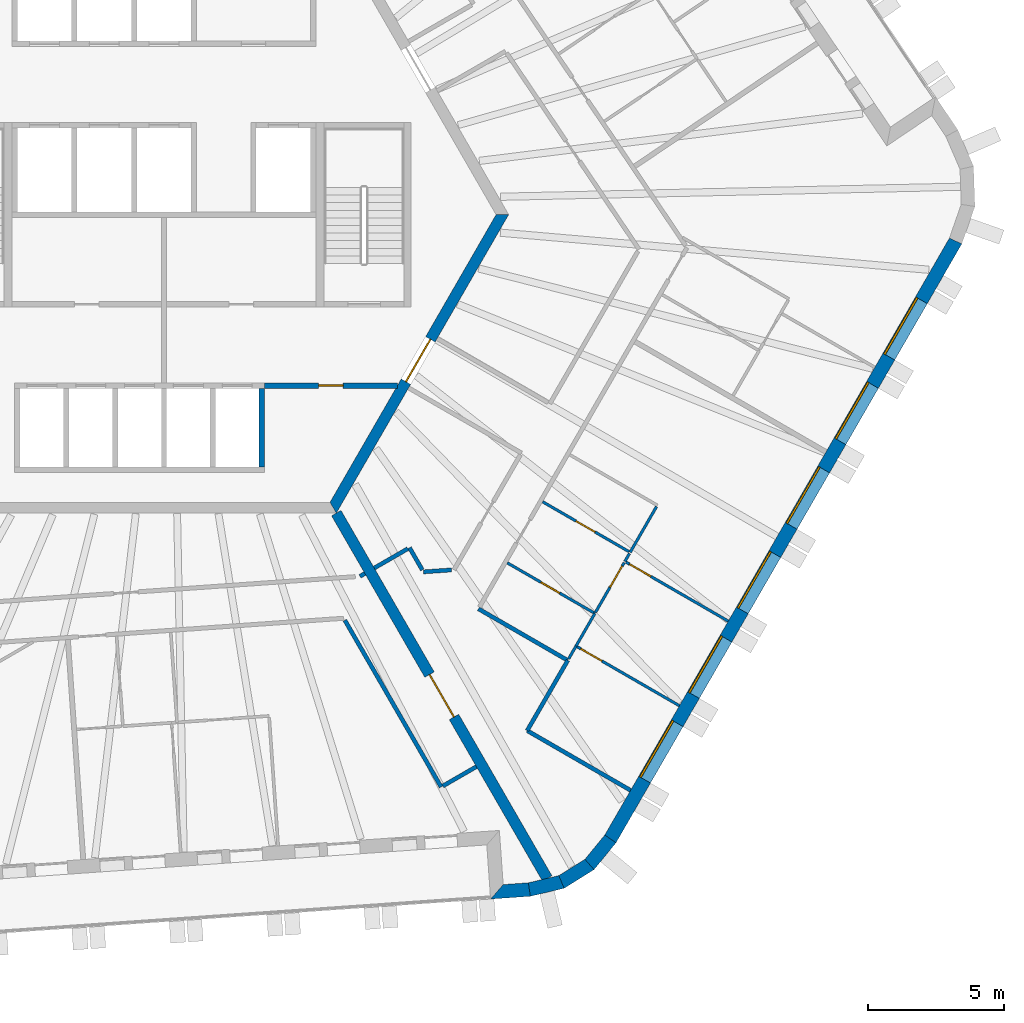
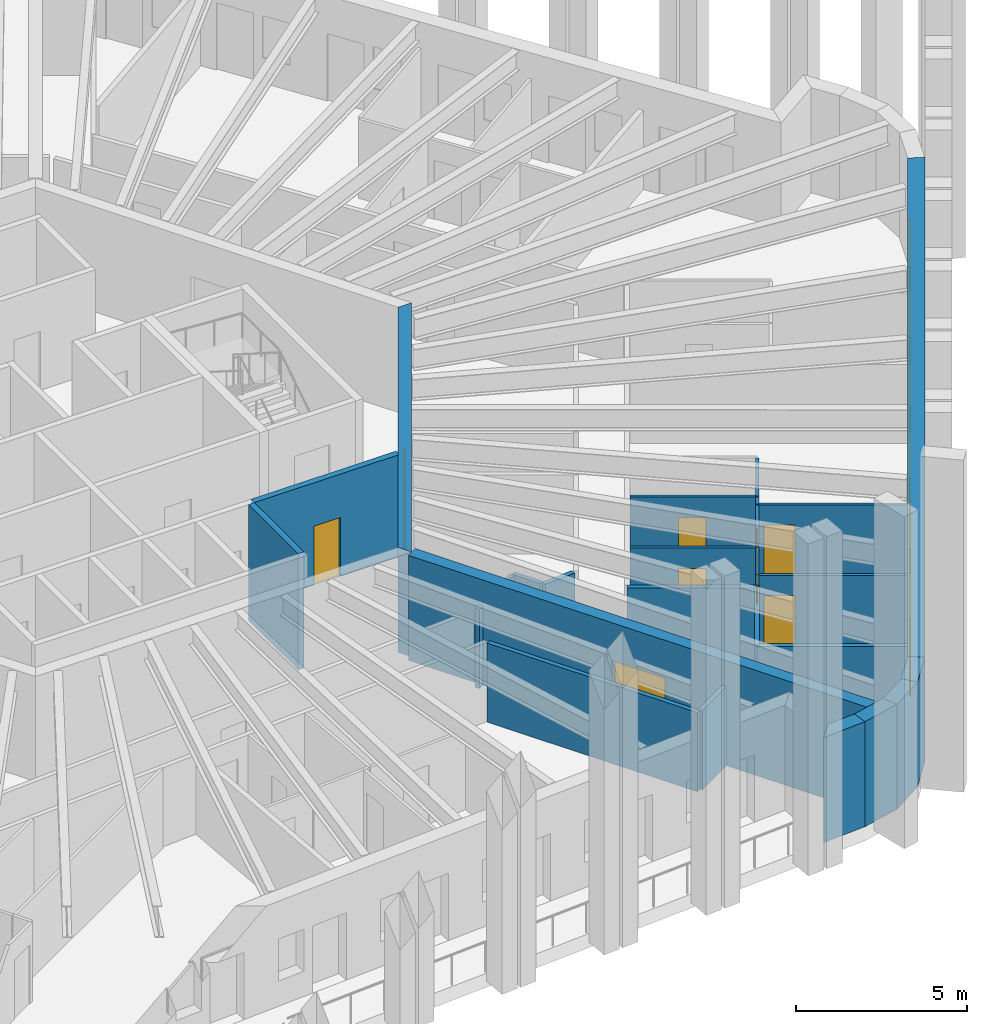
# One storey, part 6 of 13: 27 walls, 8 doors, 6 windows, 14 openings.
"""IFC4 building model written with IfcOpenShell, lengths in metres."""

import ifcopenshell
import ifcopenshell.guid

model = None  # the IFC model being written
_history = None  # IfcOwnerHistory: only IFC2X3 demands one
_inside = {}  # id of a spatial element -> (the spatial element, [elements in it])
_under = {}  # id of a project, library or spatial element -> (it, [spatial elements below it])
_declared = {}  # id of a project -> (the project, [libraries it declares])
_typed = {}  # id of a type object -> (the type object, [elements of that type])
_made_of = {}  # id of a material, layer set ... -> (it, [elements and type objects made of it])


def new_model(schema):
    """Start an empty IFC model of exactly this schema.

    Asked for "IFC4X3", IfcOpenShell would pick the latest addendum, in which some entities
    have other attributes; the version numbers below select the first issue.
    IFC2X3 requires an IfcOwnerHistory on every rooted entity: one is made here for all.
    """
    global model, _history
    if schema == "IFC4X3":
        model = ifcopenshell.file(schema_version=(4, 3, 0, 0))
    else:
        model = ifcopenshell.file(schema=schema)
    _inside.clear()
    _under.clear()
    _declared.clear()
    _typed.clear()
    _made_of.clear()
    _history = None
    if model.schema == "IFC2X3":
        org = make("IfcOrganization", Name="unknown")
        user = make(
            "IfcPersonAndOrganization",
            ThePerson=make("IfcPerson", FamilyName="unknown"),
            TheOrganization=org,
        )
        app = make(
            "IfcApplication",
            ApplicationDeveloper=org,
            Version="unknown",
            ApplicationFullName="unknown",
            ApplicationIdentifier="unknown",
        )
        _history = make(
            "IfcOwnerHistory",
            OwningUser=user,
            OwningApplication=app,
            ChangeAction="ADDED",
            CreationDate=0,
        )
    return model


def make(cls, **values):
    """One entity of the class cls with the attributes given. An attribute that is None is left unset."""
    return model.create_entity(
        cls, **{name: value for name, value in values.items() if value is not None}
    )


def rooted(cls, **values):
    """An entity with a GlobalId (a new one), such as an element, a storey or a relation."""
    return make(cls, GlobalId=ifcopenshell.guid.new(), OwnerHistory=_history, **values)


def si_unit(unit_type, name, prefix=None):
    """IfcSIUnit, for example si_unit("LENGTHUNIT", "METRE", prefix="MILLI")."""
    return make("IfcSIUnit", UnitType=unit_type, Prefix=prefix, Name=name)


def assignment(units):
    """IfcUnitAssignment: the units of a project."""
    return None if units is None else make("IfcUnitAssignment", Units=units)


def point(xyz):
    """IfcCartesianPoint."""
    return None if xyz is None else make("IfcCartesianPoint", Coordinates=xyz)


def direction(xyz):
    """IfcDirection."""
    return None if xyz is None else make("IfcDirection", DirectionRatios=xyz)


def frame(location, z_axis=None, x_axis=None):
    """IfcAxis2Placement3D, a coordinate frame: its origin and axes. An axis left out is left unset."""
    return make(
        "IfcAxis2Placement3D",
        Location=point(location),
        Axis=direction(z_axis),
        RefDirection=direction(x_axis),
    )


def frame_2d(location, x_axis=None):
    """IfcAxis2Placement2D, a coordinate frame in the plane: its origin and x axis."""
    return make(
        "IfcAxis2Placement2D", Location=point(location), RefDirection=direction(x_axis)
    )


def origin():
    """The frame at (0, 0, 0) with its axes left unset."""
    return frame((0.0, 0.0, 0.0))


def place(relative_to, where):
    """IfcLocalPlacement: puts the frame where relative to a parent placement (None: the world)."""
    return make(
        "IfcLocalPlacement", PlacementRelTo=relative_to, RelativePlacement=where
    )


def context(
    kind, dimensions, precision=None, world=None, true_north=None, identifier=None
):
    """IfcGeometricRepresentationContext, for example the 3D "Model" context."""
    return make(
        "IfcGeometricRepresentationContext",
        ContextIdentifier=identifier,
        ContextType=kind,
        CoordinateSpaceDimension=dimensions,
        Precision=precision,
        WorldCoordinateSystem=world,
        TrueNorth=true_north,
    )


def subcontext(parent, identifier, kind, view, scale=None):
    """IfcGeometricRepresentationSubContext, for example "Body" below "Model"."""
    return make(
        "IfcGeometricRepresentationSubContext",
        ContextIdentifier=identifier,
        ContextType=kind,
        ParentContext=parent,
        TargetScale=scale,
        TargetView=view,
    )


def project(units=None, contexts=None):
    """IfcProject with its units and contexts."""
    return rooted(
        "IfcProject",
        Name="project",
        RepresentationContexts=contexts,
        UnitsInContext=assignment(units),
    )


def spatial(cls, under=None, at=None, **own):
    """A site, building, storey or space (cls), placed at a placement, below another one or the project."""
    s = rooted(cls, ObjectPlacement=at, **own)
    if under is not None:
        _under.setdefault(under.id(), (under, []))[1].append(s)
    return s


def polyline(points):
    """IfcPolyline through the points."""
    return make("IfcPolyline", Points=[point(p) for p in points])


def profile(cls, at=None, kind="AREA", **sizes):
    """A parametric profile (cls). Its sizes go by their IFC names, for example OverallWidth=200.0."""
    return make(cls, ProfileType=kind, Position=at, **sizes)


def rectangle(**sizes):
    """IfcRectangleProfileDef."""
    return profile("IfcRectangleProfileDef", **sizes)


def outline(outer, holes=None, kind="AREA"):
    """IfcArbitraryClosedProfileDef: a profile drawn as a closed curve; with holes, ...WithVoids."""
    if holes is None:
        return make("IfcArbitraryClosedProfileDef", ProfileType=kind, OuterCurve=outer)
    return make(
        "IfcArbitraryProfileDefWithVoids",
        ProfileType=kind,
        OuterCurve=outer,
        InnerCurves=holes,
    )


def extrude(swept, where, along, depth):
    """IfcExtrudedAreaSolid: the profile swept, set in the frame where, extruded along a direction by depth."""
    return make(
        "IfcExtrudedAreaSolid",
        SweptArea=swept,
        Position=where,
        ExtrudedDirection=direction(along),
        Depth=depth,
    )


def shape(context_of_items, identifier, shape_type, items):
    """IfcShapeRepresentation: the items that make up one representation, for example the "Body"."""
    return make(
        "IfcShapeRepresentation",
        ContextOfItems=context_of_items,
        RepresentationIdentifier=identifier,
        RepresentationType=shape_type,
        Items=items,
    )


def material(Name=None, Category=None):
    """IfcMaterial."""
    return make("IfcMaterial", Name=Name, Category=Category)


def layer(
    of_material, thickness, ventilated=None, Name=None, Category=None, Priority=None
):
    """IfcMaterialLayer: one layer of a wall or slab, of a material (None: an air gap)."""
    return make(
        "IfcMaterialLayer",
        Material=of_material,
        LayerThickness=thickness,
        IsVentilated=ventilated,
        Name=Name,
        Category=Category,
        Priority=Priority,
    )


def layer_set(layers, Name=None):
    """IfcMaterialLayerSet."""
    return make("IfcMaterialLayerSet", MaterialLayers=layers, LayerSetName=Name)


def made_of(thing, what):
    """Note that an element or type object is made of a material, layer set ...; save() writes the relation."""
    if what is not None:
        _made_of.setdefault(what.id(), (what, []))[1].append(thing)
    return thing


def type_object(cls, material=None, **own):
    """A type object (cls), such as IfcWallType, which elements share."""
    return made_of(rooted(cls, **own), material)


def element(
    cls,
    number,
    at=None,
    inside=None,
    cuts=None,
    type_object=None,
    material=None,
    context=None,
    identifier="Body",
    shape_type=None,
    held_by="IfcProductDefinitionShape",
    body=None,
    shapes=None,
    **own,
):
    """One element of the class cls, such as IfcWall. Its Tag is "e" and its number.

    at: its placement. inside: the storey or other place that contains it. cuts: it is an
    opening in that element (IfcRelVoidsElement). A single representation is given by context,
    identifier, shape_type and body (its items); several are given by shapes. held_by: the class
    of the entity that holds the representations. save() writes the other relations.
    """
    e = rooted(cls, Tag="e%d" % number, ObjectPlacement=at, **own)
    if body is not None:
        shapes = [shape(context, identifier, shape_type, body)]
    if shapes is not None:
        e.Representation = make(held_by, Representations=shapes)
    if inside is not None:
        _inside.setdefault(inside.id(), (inside, []))[1].append(e)
    if cuts is not None:
        rooted(
            "IfcRelVoidsElement", RelatingBuildingElement=cuts, RelatedOpeningElement=e
        )
    if type_object is not None:
        _typed.setdefault(type_object.id(), (type_object, []))[1].append(e)
    return made_of(e, material)


def fill(opening, filler):
    """IfcRelFillsElement: the door or window that sits in an opening."""
    return rooted(
        "IfcRelFillsElement",
        RelatingOpeningElement=opening,
        RelatedBuildingElement=filler,
    )


def aggregate(whole, parts):
    """IfcRelAggregates: a whole, such as a stair, and the parts it consists of."""
    return rooted("IfcRelAggregates", RelatingObject=whole, RelatedObjects=parts)


def save(model, path):
    """Write the relations noted so far, then the file.

    IfcRelAggregates (storeys below a building ...), IfcRelContainedInSpatialStructure (elements
    in a storey), IfcRelDefinesByType, IfcRelAssociatesMaterial and IfcRelDeclares: one each for
    every whole, place, type object, material and project.
    """
    for whole, parts in _under.values():
        aggregate(whole, parts)
    for where, things in _inside.values():
        rooted(
            "IfcRelContainedInSpatialStructure",
            RelatedElements=things,
            RelatingStructure=where,
        )
    for kind, things in _typed.values():
        rooted("IfcRelDefinesByType", RelatedObjects=things, RelatingType=kind)
    for what, things in _made_of.values():
        rooted("IfcRelAssociatesMaterial", RelatedObjects=things, RelatingMaterial=what)
    for by, libraries in _declared.values():
        rooted("IfcRelDeclares", RelatingContext=by, RelatedDefinitions=libraries)
    model.write(path)


model = new_model("IFC4")

# Units and contexts
model_context = context("Model", 3, precision=1e-05, world=origin(), true_north=direction((0.0, 1.0)))
body_context = subcontext(model_context, "Body", "Model", "MODEL_VIEW")
ifc_project = project(units=[si_unit("LENGTHUNIT", "METRE"), si_unit("AREAUNIT", "SQUARE_METRE"), si_unit("VOLUMEUNIT", "CUBIC_METRE"), si_unit("PLANEANGLEUNIT", "RADIAN"), si_unit("MASSUNIT", "GRAM", prefix="KILO")], contexts=[model_context])

# Site, building, storey
site_placement = place(None, origin())
site = spatial("IfcSite", under=ifc_project, at=site_placement, CompositionType="ELEMENT")
building_placement = place(site_placement, origin())
building = spatial("IfcBuilding", under=site, at=building_placement, Name="Tarnside Tower", CompositionType="ELEMENT")
storey_placement = place(building_placement, frame((0.0, 0.0, 256.199951171875)))
storey = spatial("IfcBuildingStorey", under=building, at=storey_placement, Name="L61", CompositionType="ELEMENT", Elevation=256.199951171875)

# Wall
ifc_material_1 = material(Name="Gypsum board partition on steel studs", Category="steel")
ifc_layer_1 = layer(ifc_material_1, 0.10009765625)
ifc_layer_set_1 = layer_set([ifc_layer_1], Name="Bathroom wall 100")
wall_type_1 = type_object("IfcWallType", Name="Bathroom wall 100", PredefinedType="PARTITIONING", material=ifc_layer_set_1)
wall_1_placement = place(storey_placement, frame((18.155029296875, -10.75439453125, 0.0), z_axis=(0.0, 0.0, 1.0), x_axis=(-0.49989585183, -0.866085525409, 0.0)))
element("IfcWall", 1, at=wall_1_placement, inside=storey, type_object=wall_type_1, Name="Bathroom wall 20142", PredefinedType="PARTITIONING", context=body_context, shape_type="SweptSolid", body=[
    extrude(rectangle(XDim=1.9501953125, YDim=0.10009765625, at=frame_2d((0.97509765625, 0.0))), origin(), (0.0, 0.0, 1.0), 2.823486328125),
])

# Wall, opening, door
wall_2_placement = place(storey_placement, frame((12.654052734375, -12.83251953125, 0.0), z_axis=(0.0, 0.0, 1.0), x_axis=(0.866056803351, -0.499945610411, 0.0)))
wall_2 = element("IfcWall", 2, at=wall_2_placement, inside=storey, type_object=wall_type_1, Name="Bathroom wall 20145", PredefinedType="PARTITIONING", context=body_context, shape_type="SweptSolid", body=[
    extrude(rectangle(XDim=3.72509765625, YDim=0.10009765625, at=frame_2d((1.862548828125, 0.0))), origin(), (0.0, 0.0, 1.0), 2.823486328125),
])
opening_1_placement = place(wall_2_placement, frame((1.425048828125, 0.0, 0.0)))
opening_1 = element("IfcOpeningElement", 3, at=opening_1_placement, cuts=wall_2, Name="Opening D-B1", PredefinedType="OPENING", context=body_context, shape_type="SweptSolid", body=[
    extrude(rectangle(XDim=0.800048828125, YDim=2.10009765625, at=frame_2d((0.39990234375, 1.050048828125))), frame((0.0, 0.06005859375, 0.0), z_axis=(0.0, -1.0, 0.0), x_axis=(1.0, 0.0, 0.0)), (0.0, 0.0, 1.0), 0.1201171875),
])
ifc_material_2 = material(Name="Timber door leaf", Category="wood")
door_type_1 = type_object("IfcDoorType", Name="Bathroom door 800", OperationType="NOTDEFINED", PredefinedType="DOOR", material=ifc_material_2)
door_1_placement = place(opening_1_placement, origin())
door_1 = element("IfcDoor", 4, at=door_1_placement, inside=storey, type_object=door_type_1, Name="Bathroom door 20051", OperationType="SINGLE_SWING_RIGHT", OverallHeight=2.10009765625, OverallWidth=0.800048828125, PredefinedType="DOOR", context=body_context, shape_type="SweptSolid", body=[
    extrude(rectangle(XDim=0.800048828125, YDim=2.10009765625, at=frame_2d((0.39990234375, 1.050048828125))), frame((0.0, 0.02490234375, 0.0), z_axis=(0.0, -1.0, 0.0), x_axis=(1.0, 0.0, 0.0)), (0.0, 0.0, 1.0), 0.050048828125),
])
fill(opening_1, door_1)

wall_3_placement = place(storey_placement, frame((17.13671875, -12.418212890625, 0.0), z_axis=(0.0, 0.0, 1.0), x_axis=(-0.866035129944, 0.499983153418, 0.0)))
wall_3 = element("IfcWall", 5, at=wall_3_placement, inside=storey, type_object=wall_type_1, Name="Bathroom wall 20147", PredefinedType="PARTITIONING", context=body_context, shape_type="SweptSolid", body=[
    extrude(rectangle(XDim=3.675048828125, YDim=0.10009765625, at=frame_2d((1.83740234375, 0.0))), origin(), (0.0, 0.0, 1.0), 2.823486328125),
])
opening_2_placement = place(wall_3_placement, frame((1.449951171875, 0.0, 0.0)))
opening_2 = element("IfcOpeningElement", 6, at=opening_2_placement, cuts=wall_3, Name="Opening D-B1", PredefinedType="OPENING", context=body_context, shape_type="SweptSolid", body=[
    extrude(rectangle(XDim=0.800048828125, YDim=2.10009765625, at=frame_2d((0.39990234375, 1.050048828125))), frame((0.0, 0.06005859375, 0.0), z_axis=(0.0, -1.0, 0.0), x_axis=(1.0, 0.0, 0.0)), (0.0, 0.0, 1.0), 0.1201171875),
])
door_2_placement = place(opening_2_placement, origin())
door_2 = element("IfcDoor", 7, at=door_2_placement, inside=storey, type_object=door_type_1, Name="Bathroom door 20060", OperationType="SINGLE_SWING_RIGHT", OverallHeight=2.10009765625, OverallWidth=0.800048828125, PredefinedType="DOOR", context=body_context, shape_type="SweptSolid", body=[
    extrude(rectangle(XDim=0.800048828125, YDim=2.10009765625, at=frame_2d((0.39990234375, 1.050048828125))), frame((0.0, 0.02490234375, 0.0), z_axis=(0.0, -1.0, 0.0), x_axis=(1.0, 0.0, 0.0)), (0.0, 0.0, 1.0), 0.050048828125),
])
fill(opening_2, door_2)

# Walls
wall_4_placement = place(storey_placement, frame((14.91650390625, -16.36376953125, 0.0), z_axis=(0.0, 0.0, 1.0), x_axis=(0.500141487433, 0.865943700565, 0.0)))
element("IfcWall", 8, at=wall_4_placement, inside=storey, type_object=wall_type_1, Name="Bathroom wall 20148", PredefinedType="PARTITIONING", context=body_context, shape_type="SweptSolid", body=[
    extrude(rectangle(XDim=0.537841796875, YDim=0.10009765625, at=frame_2d((0.26904296875, 0.0))), origin(), (0.0, 0.0, 1.0), 2.823486328125),
])
wall_5_placement = place(storey_placement, frame((15.185546875, -15.89794921875, 0.0), z_axis=(0.0, 0.0, 1.0), x_axis=(0.4999705729, 0.866042392862, 0.0)))
element("IfcWall", 9, at=wall_5_placement, inside=storey, type_object=wall_type_1, Name="Bathroom wall 20149", PredefinedType="PARTITIONING", context=body_context, shape_type="SweptSolid", body=[
    extrude(rectangle(XDim=1.39111328125, YDim=0.10009765625, at=frame_2d((0.695556640625, 0.0))), origin(), (0.0, 0.0, 1.0), 2.823486328125),
])

# Wall, opening, door
ifc_material_3 = material(Name="Concrete C40/50", Category="concrete")
ifc_layer_2 = layer(ifc_material_3, 0.199951171875)
ifc_layer_set_2 = layer_set([ifc_layer_2], Name="Core room partition 200 C40/50")
wall_type_2 = type_object("IfcWallType", Name="Core room partition 200 C40/50", PredefinedType="PARTITIONING", material=ifc_layer_set_2)
wall_6_placement = place(storey_placement, frame((3.699951171875, -6.300048828125, 0.0), z_axis=(0.0, 0.0, 1.0), x_axis=(1.0, 0.0, 0.0)))
wall_6 = element("IfcWall", 10, at=wall_6_placement, inside=storey, type_object=wall_type_2, Name="L61 core partition R4X", PredefinedType="PARTITIONING", context=body_context, shape_type="SweptSolid", body=[
    extrude(rectangle(XDim=4.902587890625, YDim=0.199951171875, at=frame_2d((2.451171875, 0.0))), origin(), (0.0, 0.0, 1.0), 3.650146484375),
])
opening_3_placement = place(wall_6_placement, frame((2.001220703125, 0.0, 0.0)))
opening_3 = element("IfcOpeningElement", 11, at=opening_3_placement, cuts=wall_6, Name="Opening CD-room", PredefinedType="OPENING", context=body_context, shape_type="SweptSolid", body=[
    extrude(rectangle(XDim=0.89990234375, YDim=2.10009765625, at=frame_2d((0.449951171875, 1.050048828125))), frame((0.0, 0.10986328125, 0.0), z_axis=(0.0, -1.0, 0.0), x_axis=(1.0, 0.0, 0.0)), (0.0, 0.0, 1.0), 0.219970703125),
])
ifc_material_4 = material(Name="Steel fire door", Category="steel")
door_type_2 = type_object("IfcDoorType", Name="Room door FD60 900x2100", OperationType="NOTDEFINED", PredefinedType="DOOR", material=ifc_material_4)
door_3_placement = place(opening_3_placement, origin())
door_3 = element("IfcDoor", 12, at=door_3_placement, inside=storey, type_object=door_type_2, Name="L61 core room door RX", OperationType="SINGLE_SWING_LEFT", OverallHeight=2.10009765625, OverallWidth=0.89990234375, PredefinedType="DOOR", context=body_context, shape_type="SweptSolid", body=[
    extrude(rectangle(XDim=0.89990234375, YDim=2.10009765625, at=frame_2d((0.449951171875, 1.050048828125))), frame((0.0, 0.02490234375, 0.0), z_axis=(0.0, -1.0, 0.0), x_axis=(1.0, 0.0, 0.0)), (0.0, 0.0, 1.0), 0.050048828125),
])
fill(opening_3, door_3)

ifc_material_5 = material(Name="Concrete C60/75", Category="concrete")
ifc_layer_3 = layer(ifc_material_5, 0.39990234375)
ifc_layer_set_3 = layer_set([ifc_layer_3], Name="Core wall Z3 400 C60/75")
wall_type_3 = type_object("IfcWallType", Name="Core wall Z3 400 C60/75", PredefinedType="SHEAR", material=ifc_layer_set_3)
wall_7_placement = place(storey_placement, frame((6.2353515625, -10.800048828125, 0.0), z_axis=(0.0, 0.0, 1.0), x_axis=(0.499996419489, 0.866027470984, 0.0)))
wall_7 = element("IfcWall", 13, at=wall_7_placement, inside=storey, type_object=wall_type_3, Name="L61 core wall face 5", PredefinedType="SHEAR", context=body_context, shape_type="SweptSolid", body=[
    extrude(outline(polyline([(-0.115478515625, -0.199951171875), (12.586181640625, -0.199951171875), (12.355224609375, 0.199951171875), (0.115478515625, 0.199951171875), (-0.115478515625, -0.199951171875)])), origin(), (0.0, 0.0, 1.0), 3.75),
])
opening_4_placement = place(wall_7_placement, frame((5.3642578125, 0.0, 0.0)))
opening_4 = element("IfcOpeningElement", 14, at=opening_4_placement, cuts=wall_7, Name="Opening CD-FFL", PredefinedType="OPENING", context=body_context, shape_type="SweptSolid", body=[
    extrude(rectangle(XDim=1.800048828125, YDim=2.39990234375, at=frame_2d((0.89990234375, 1.199951171875))), frame((0.0, 0.2099609375, 0.0), z_axis=(0.0, -1.0, 0.0), x_axis=(1.0, 0.0, 0.0)), (0.0, 0.0, 1.0), 0.419921875),
])
door_type_3 = type_object("IfcDoorType", Name="Firefighting lobby double door FD60S 1800x2400", OperationType="NOTDEFINED", PredefinedType="DOOR", material=ifc_material_4)
door_4_placement = place(opening_4_placement, origin())
door_4 = element("IfcDoor", 15, at=door_4_placement, inside=storey, type_object=door_type_3, Name="L61 core door P4", OperationType="DOUBLE_DOOR_SINGLE_SWING", OverallHeight=2.39990234375, OverallWidth=1.800048828125, PredefinedType="DOOR", context=body_context, shape_type="SweptSolid", body=[
    extrude(rectangle(XDim=1.800048828125, YDim=2.39990234375, at=frame_2d((0.89990234375, 1.199951171875))), frame((0.0, 0.02490234375, 0.0), z_axis=(0.0, -1.0, 0.0), x_axis=(1.0, 0.0, 0.0)), (0.0, 0.0, 1.0), 0.050048828125),
])
fill(opening_4, door_4)

wall_8_placement = place(storey_placement, frame((6.350830078125, -11.0, 0.0), z_axis=(0.0, 0.0, 1.0), x_axis=(0.499998894578, -0.866026041999, 0.0)))
wall_8 = element("IfcWall", 16, at=wall_8_placement, inside=storey, type_object=wall_type_3, Name="L61 spine wall 3", PredefinedType="SHEAR", context=body_context, shape_type="SweptSolid", body=[
    extrude(rectangle(XDim=15.54443359375, YDim=0.39990234375, at=frame_2d((7.772216796875, 0.0))), origin(), (0.0, 0.0, 1.0), 3.75),
])
opening_5_placement = place(wall_8_placement, frame((6.872314453125, 0.0, 0.0)))
opening_5 = element("IfcOpeningElement", 17, at=opening_5_placement, cuts=wall_8, Name="Opening CD-SPN", PredefinedType="OPENING", context=body_context, shape_type="SweptSolid", body=[
    extrude(rectangle(XDim=1.800048828125, YDim=2.39990234375, at=frame_2d((0.89990234375, 1.199951171875))), frame((0.0, 0.2099609375, 0.0), z_axis=(0.0, -1.0, 0.0), x_axis=(1.0, 0.0, 0.0)), (0.0, 0.0, 1.0), 0.419921875),
])
door_type_4 = type_object("IfcDoorType", Name="Spine passage double door FD60 1800x2400", OperationType="NOTDEFINED", PredefinedType="DOOR", material=ifc_material_4)
door_5_placement = place(opening_5_placement, origin())
door_5 = element("IfcDoor", 18, at=door_5_placement, inside=storey, type_object=door_type_4, Name="L61 spine passage door 3", OperationType="DOUBLE_DOOR_SINGLE_SWING", OverallHeight=2.39990234375, OverallWidth=1.800048828125, PredefinedType="DOOR", context=body_context, shape_type="SweptSolid", body=[
    extrude(rectangle(XDim=1.800048828125, YDim=2.39990234375, at=frame_2d((0.89990234375, 1.199951171875))), frame((0.0, 0.02490234375, 0.0), z_axis=(0.0, -1.0, 0.0), x_axis=(1.0, 0.0, 0.0)), (0.0, 0.0, 1.0), 0.050048828125),
])
fill(opening_5, door_5)

# Walls
ifc_layer_4 = layer(ifc_material_1, 0.14990234375)
ifc_layer_set_4 = layer_set([ifc_layer_4], Name="Corridor wall 150 EI 60")
wall_type_4 = type_object("IfcWallType", Name="Corridor wall 150 EI 60", PredefinedType="PARTITIONING", material=ifc_layer_set_4)
wall_9_placement = place(storey_placement, frame((6.666259765625, -14.9462890625, 0.0), z_axis=(0.0, 0.0, 1.0), x_axis=(0.499979539361, -0.866037216418, 0.0)))
element("IfcWall", 19, at=wall_9_placement, inside=storey, type_object=wall_type_4, Name="Corridor wall 20039", PredefinedType="PARTITIONING", context=body_context, shape_type="SweptSolid", body=[
    extrude(rectangle(XDim=7.096923828125, YDim=0.14990234375, at=frame_2d((3.54833984375, 0.0))), origin(), (0.0, 0.0, 1.0), 2.823486328125),
])
wall_10_placement = place(storey_placement, frame((10.27978515625, -21.054931640625, 0.0), z_axis=(0.0, 0.0, 1.0), x_axis=(0.866020080793, 0.500009219579, 0.0)))
element("IfcWall", 20, at=wall_10_placement, inside=storey, type_object=wall_type_4, Name="Corridor wall 20040", PredefinedType="PARTITIONING", context=body_context, shape_type="SweptSolid", body=[
    extrude(rectangle(XDim=1.4248046875, YDim=0.14990234375, at=frame_2d((0.71240234375, 0.0))), origin(), (0.0, 0.0, 1.0), 2.823486328125),
])
wall_11_placement = place(storey_placement, frame((7.40380859375, -13.2236328125, 0.0), z_axis=(0.0, 0.0, 1.0), x_axis=(-0.866088799389, -0.499890179513, 0.0)))
element("IfcWall", 21, at=wall_11_placement, inside=storey, type_object=wall_type_4, Name="Corridor wall 20048", PredefinedType="PARTITIONING", context=body_context, shape_type="SweptSolid", body=[
    extrude(rectangle(XDim=0.2099609375, YDim=0.14990234375, at=frame_2d((0.10498046875, 0.0))), origin(), (0.0, 0.0, 1.0), 2.823486328125),
])
wall_12_placement = place(storey_placement, frame((14.880126953125, -16.427001953125, 0.0), z_axis=(0.0, 0.0, 1.0), x_axis=(-0.86601654697, 0.500015340139, 0.0)))
element("IfcWall", 22, at=wall_12_placement, inside=storey, type_object=wall_type_4, Name="Corridor wall 20054", PredefinedType="PARTITIONING", context=body_context, shape_type="SweptSolid", body=[
    extrude(rectangle(XDim=3.80029296875, YDim=0.14990234375, at=frame_2d((1.900146484375, 0.0))), origin(), (0.0, 0.0, 1.0), 2.823486328125),
])
wall_13_placement = place(storey_placement, frame((13.38623046875, -19.014404296875, 0.0), z_axis=(0.0, 0.0, 1.0), x_axis=(0.500009728207, 0.866019787128, 0.0)))
element("IfcWall", 23, at=wall_13_placement, inside=storey, type_object=wall_type_4, Name="Corridor wall 20056", PredefinedType="PARTITIONING", context=body_context, shape_type="SweptSolid", body=[
    extrude(rectangle(XDim=2.99169921875, YDim=0.14990234375, at=frame_2d((1.495849609375, 0.0))), origin(), (0.0, 0.0, 1.0), 2.823486328125),
])
wall_14_placement = place(storey_placement, frame((17.196044921875, -21.215576171875, 0.0), z_axis=(0.0, 0.0, 1.0), x_axis=(-0.866010893236, 0.500025132165, 0.0)))
element("IfcWall", 24, at=wall_14_placement, inside=storey, type_object=wall_type_4, Name="Corridor wall 20057", PredefinedType="PARTITIONING", context=body_context, shape_type="SweptSolid", body=[
    extrude(rectangle(XDim=4.398681640625, YDim=0.14990234375, at=frame_2d((2.19921875, 0.0))), origin(), (0.0, 0.0, 1.0), 2.823486328125),
])
wall_15_placement = place(storey_placement, frame((10.5986328125, -13.092529296875, 0.0), z_axis=(0.0, 0.0, 1.0), x_axis=(-0.99755453913, -0.069892356245, 0.0)))
element("IfcWall", 25, at=wall_15_placement, inside=storey, type_object=wall_type_4, Name="Corridor wall 20075", PredefinedType="PARTITIONING", context=body_context, shape_type="SweptSolid", body=[
    extrude(rectangle(XDim=1.037353515625, YDim=0.14990234375, at=frame_2d((0.5185546875, 0.0))), origin(), (0.0, 0.0, 1.0), 2.823486328125),
])
wall_16_placement = place(storey_placement, frame((9.52197265625, -13.0927734375, 0.0), z_axis=(0.0, 0.0, 1.0), x_axis=(-0.499804398801, 0.866138304741, 0.0)))
element("IfcWall", 26, at=wall_16_placement, inside=storey, type_object=wall_type_4, Name="Corridor wall 20076", PredefinedType="PARTITIONING", context=body_context, shape_type="SweptSolid", body=[
    extrude(rectangle(XDim=0.94580078125, YDim=0.14990234375, at=frame_2d((0.472900390625, 0.0))), origin(), (0.0, 0.0, 1.0), 2.823486328125),
])
wall_17_placement = place(storey_placement, frame((8.984130859375, -12.311279296875, 0.0), z_axis=(0.0, 0.0, 1.0), x_axis=(-0.866020080793, -0.500009219579, 0.0)))
element("IfcWall", 27, at=wall_17_placement, inside=storey, type_object=wall_type_4, Name="Corridor wall 20077", PredefinedType="PARTITIONING", context=body_context, shape_type="SweptSolid", body=[
    extrude(rectangle(XDim=1.4248046875, YDim=0.14990234375, at=frame_2d((0.71240234375, 0.0))), origin(), (0.0, 0.0, 1.0), 2.823486328125),
])
ifc_layer_5 = layer(ifc_material_3, 0.199951171875)
ifc_layer_set_5 = layer_set([ifc_layer_5], Name="Lift shaft wall 200 C40/50")
wall_type_5 = type_object("IfcWallType", Name="Lift shaft wall 200 C40/50", PredefinedType="SHEAR", material=ifc_layer_set_5)
wall_18_placement = place(storey_placement, frame((3.60009765625, -9.300048828125, -0.5), z_axis=(0.0, 0.0, 1.0), x_axis=(0.0, 1.0, 0.0)))
element("IfcWall", 28, at=wall_18_placement, inside=storey, type_object=wall_type_5, Name="L61 lift shaft partition R46", PredefinedType="SHEAR", context=body_context, shape_type="SweptSolid", body=[
    extrude(rectangle(XDim=2.900146484375, YDim=0.199951171875, at=frame_2d((1.4501953125, 0.0))), origin(), (0.0, 0.0, 1.0), 4.150146484375),
])
ifc_material_6 = material(Name="Dark zinc cladding")
ifc_layer_6 = layer(ifc_material_6, 0.10205078125)
ifc_material_7 = material(Name="Concrete C60/75 precast", Category="concrete")
ifc_layer_7 = layer(ifc_material_7, 0.298095703125)
ifc_material_8 = material(Name="Mineral wool insulation")
ifc_layer_8 = layer(ifc_material_8, 0.10009765625)
ifc_layer_set_6 = layer_set([ifc_layer_6, ifc_layer_7, ifc_layer_8], Name="Loggia wall 500 zinc faced")
wall_type_6 = type_object("IfcWallType", Name="Loggia wall 500 zinc faced", PredefinedType="SOLIDWALL", material=ifc_layer_set_6)
wall_19_placement = place(storey_placement, frame((12.268310546875, -24.955078125, 0.0), z_axis=(0.0, 0.0, 1.0), x_axis=(0.997561942506, 0.06978660948, 0.0)))
element("IfcWall", 29, at=wall_19_placement, inside=storey, type_object=wall_type_6, Name="Tube wall L61 F4 stub 20", PredefinedType="SOLIDWALL", context=body_context, shape_type="SweptSolid", body=[
    extrude(outline(polyline([(-0.25, -0.25), (1.220458984375, -0.25), (1.179443359375, 0.25), (0.25, 0.25), (-0.25, -0.25)])), origin(), (0.0, 0.0, 1.0), 3.75),
])
ifc_layer_9 = layer(ifc_material_1, 0.10009765625)
ifc_layer_set_7 = layer_set([ifc_layer_9], Name="Partition 100")
wall_type_7 = type_object("IfcWallType", Name="Partition 100", PredefinedType="PARTITIONING", material=ifc_layer_set_7)
wall_20_placement = place(storey_placement, frame((17.155029296875, -12.486572265625, 0.0), z_axis=(0.0, 0.0, 1.0), x_axis=(-0.499681137129, -0.866209421097, 0.0)))
element("IfcWall", 30, at=wall_20_placement, inside=storey, type_object=wall_type_7, Name="Partition wall 20139", PredefinedType="PARTITIONING", context=body_context, shape_type="SweptSolid", body=[
    extrude(rectangle(XDim=0.341064453125, YDim=0.10009765625, at=frame_2d((0.17041015625, 0.0))), origin(), (0.0, 0.0, 1.0), 2.823486328125),
])

# Wall, opening, door
wall_21_placement = place(storey_placement, frame((17.02880859375, -12.80517578125, 0.0), z_axis=(0.0, 0.0, 1.0), x_axis=(0.866027639635, -0.499996127374, 0.0)))
wall_21 = element("IfcWall", 31, at=wall_21_placement, inside=storey, type_object=wall_type_7, Name="Partition wall 20140", PredefinedType="PARTITIONING", context=body_context, shape_type="SweptSolid", body=[
    extrude(rectangle(XDim=4.35009765625, YDim=0.10009765625, at=frame_2d((2.175048828125, 0.0))), origin(), (0.0, 0.0, 1.0), 2.823486328125),
])
opening_6_placement = place(wall_21_placement, frame((0.14990234375, 0.0, 0.0)))
opening_6 = element("IfcOpeningElement", 32, at=opening_6_placement, cuts=wall_21, Name="Opening D-I1", PredefinedType="OPENING", context=body_context, shape_type="SweptSolid", body=[
    extrude(rectangle(XDim=0.89990234375, YDim=2.10009765625, at=frame_2d((0.449951171875, 1.050048828125))), frame((0.0, 0.06005859375, 0.0), z_axis=(0.0, -1.0, 0.0), x_axis=(1.0, 0.0, 0.0)), (0.0, 0.0, 1.0), 0.1201171875),
])
door_type_5 = type_object("IfcDoorType", Name="Internal door 900", OperationType="NOTDEFINED", PredefinedType="DOOR", material=ifc_material_2)
door_6_placement = place(opening_6_placement, origin())
door_6 = element("IfcDoor", 33, at=door_6_placement, inside=storey, type_object=door_type_5, Name="Internal door 20059", OperationType="SINGLE_SWING_RIGHT", OverallHeight=2.10009765625, OverallWidth=0.89990234375, PredefinedType="DOOR", context=body_context, shape_type="SweptSolid", body=[
    extrude(rectangle(XDim=0.89990234375, YDim=2.10009765625, at=frame_2d((0.449951171875, 1.050048828125))), frame((0.0, 0.02490234375, 0.0), z_axis=(0.0, -1.0, 0.0), x_axis=(1.0, 0.0, 0.0)), (0.0, 0.0, 1.0), 0.050048828125),
])
fill(opening_6, door_6)

wall_22_placement = place(storey_placement, frame((15.904052734375, -14.6533203125, 0.0), z_axis=(0.0, 0.0, 1.0), x_axis=(0.499979177903, 0.866037425094, 0.0)))
wall_22 = element("IfcWall", 34, at=wall_22_placement, inside=storey, type_object=wall_type_7, Name="Partition wall 20146", PredefinedType="PARTITIONING", context=body_context, shape_type="SweptSolid", body=[
    extrude(rectangle(XDim=2.11279296875, YDim=0.10009765625, at=frame_2d((1.056396484375, 0.0))), origin(), (0.0, 0.0, 1.0), 2.823486328125),
])
opening_7_placement = place(wall_22_placement, frame((1.06298828125, 0.0, 0.0)))
opening_7 = element("IfcOpeningElement", 35, at=opening_7_placement, cuts=wall_22, Name="Opening D-I1", PredefinedType="OPENING", context=body_context, shape_type="SweptSolid", body=[
    extrude(rectangle(XDim=0.89990234375, YDim=2.10009765625, at=frame_2d((0.449951171875, 1.050048828125))), frame((0.0, 0.06005859375, 0.0), z_axis=(0.0, -1.0, 0.0), x_axis=(1.0, 0.0, 0.0)), (0.0, 0.0, 1.0), 0.1201171875),
])
door_7_placement = place(opening_7_placement, origin())
door_7 = element("IfcDoor", 36, at=door_7_placement, inside=storey, type_object=door_type_5, Name="Internal door 20054", OperationType="SINGLE_SWING_RIGHT", OverallHeight=2.10009765625, OverallWidth=0.89990234375, PredefinedType="DOOR", context=body_context, shape_type="SweptSolid", body=[
    extrude(rectangle(XDim=0.89990234375, YDim=2.10009765625, at=frame_2d((0.449951171875, 1.050048828125))), frame((0.0, 0.02490234375, 0.0), z_axis=(0.0, -1.0, 0.0), x_axis=(1.0, 0.0, 0.0)), (0.0, 0.0, 1.0), 0.050048828125),
])
fill(opening_7, door_7)

wall_23_placement = place(storey_placement, frame((18.99609375, -18.097900390625, 0.0), z_axis=(0.0, 0.0, 1.0), x_axis=(-0.866027639635, 0.499996127374, 0.0)))
wall_23 = element("IfcWall", 37, at=wall_23_placement, inside=storey, type_object=wall_type_7, Name="Partition wall 20150", PredefinedType="PARTITIONING", context=body_context, shape_type="SweptSolid", body=[
    extrude(rectangle(XDim=4.35009765625, YDim=0.10009765625, at=frame_2d((2.175048828125, 0.0))), origin(), (0.0, 0.0, 1.0), 2.823486328125),
])
opening_8_placement = place(wall_23_placement, frame((3.300048828125, 0.0, 0.0)))
opening_8 = element("IfcOpeningElement", 38, at=opening_8_placement, cuts=wall_23, Name="Opening D-I1", PredefinedType="OPENING", context=body_context, shape_type="SweptSolid", body=[
    extrude(rectangle(XDim=0.89990234375, YDim=2.10009765625, at=frame_2d((0.449951171875, 1.050048828125))), frame((0.0, 0.06005859375, 0.0), z_axis=(0.0, -1.0, 0.0), x_axis=(1.0, 0.0, 0.0)), (0.0, 0.0, 1.0), 0.1201171875),
])
door_8_placement = place(opening_8_placement, origin())
door_8 = element("IfcDoor", 39, at=door_8_placement, inside=storey, type_object=door_type_5, Name="Internal door 20057", OperationType="SINGLE_SWING_RIGHT", OverallHeight=2.10009765625, OverallWidth=0.89990234375, PredefinedType="DOOR", context=body_context, shape_type="SweptSolid", body=[
    extrude(rectangle(XDim=0.89990234375, YDim=2.10009765625, at=frame_2d((0.449951171875, 1.050048828125))), frame((0.0, 0.02490234375, 0.0), z_axis=(0.0, -1.0, 0.0), x_axis=(1.0, 0.0, 0.0)), (0.0, 0.0, 1.0), 0.050048828125),
])
fill(opening_8, door_8)

# Walls
ifc_material_9 = material(Name="Facing brick", Category="masonry")
ifc_layer_10 = layer(ifc_material_9, 0.10205078125)
ifc_layer_11 = layer(ifc_material_7, 0.298095703125)
ifc_layer_12 = layer(ifc_material_8, 0.10009765625)
ifc_layer_set_8 = layer_set([ifc_layer_10, ifc_layer_11, ifc_layer_12], Name="Tube wall 500 brick faced")
wall_type_8 = type_object("IfcWallType", Name="Tube wall 500 brick faced", PredefinedType="SOLIDWALL", material=ifc_layer_set_8)
wall_24_placement = place(storey_placement, frame((13.46533203125, -24.871337890625, 0.0), z_axis=(0.0, 0.0, 1.0), x_axis=(0.973044740285, 0.230616420501, 0.0)))
element("IfcWall", 40, at=wall_24_placement, inside=storey, type_object=wall_type_8, Name="Tube wall L61 F4 chord 21", PredefinedType="SOLIDWALL", context=body_context, shape_type="SweptSolid", body=[
    extrude(outline(polyline([(-0.0205078125, -0.25), (1.25732421875, -0.25), (1.17529296875, 0.25), (0.0205078125, 0.25), (-0.0205078125, -0.25)])), origin(), (0.0, 0.0, 1.0), 3.75),
])
wall_25_placement = place(storey_placement, frame((14.64892578125, -24.5908203125, 0.0), z_axis=(0.0, 0.0, 1.0), x_axis=(0.848054682072, 0.529908724419, 0.0)))
element("IfcWall", 41, at=wall_25_placement, inside=storey, type_object=wall_type_8, Name="Tube wall L61 F4 chord 22", PredefinedType="SOLIDWALL", context=body_context, shape_type="SweptSolid", body=[
    extrude(outline(polyline([(-0.041015625, -0.25), (1.25732421875, -0.25), (1.17529296875, 0.25), (0.041015625, 0.25), (-0.041015625, -0.25)])), origin(), (0.0, 0.0, 1.0), 3.75),
])
wall_26_placement = place(storey_placement, frame((15.680419921875, -23.9462890625, 0.0), z_axis=(0.0, 0.0, 1.0), x_axis=(0.633805934167, 0.773492105852, 0.0)))
element("IfcWall", 42, at=wall_26_placement, inside=storey, type_object=wall_type_8, Name="Tube wall L61 F4 chord 23", PredefinedType="SOLIDWALL", context=body_context, shape_type="SweptSolid", body=[
    extrude(outline(polyline([(-0.041015625, -0.25), (1.237060546875, -0.25), (1.196044921875, 0.25), (0.041015625, 0.25), (-0.041015625, -0.25)])), origin(), (0.0, 0.0, 1.0), 3.75),
])

# Wall, openings, windows
wall_27_placement = place(storey_placement, frame((16.451416015625, -23.00537109375, 0.0), z_axis=(0.0, 0.0, 1.0), x_axis=(0.500003737743, 0.866023245787, 0.0)))
wall_27 = element("IfcWall", 43, at=wall_27_placement, inside=storey, type_object=wall_type_8, Name="Tube wall L61 F5 flush 24", PredefinedType="SOLIDWALL", context=body_context, shape_type="SweptSolid", body=[
    extrude(outline(polyline([(-0.0205078125, -0.25), (25.468017578125, -0.25), (25.421142578125, 0.25), (0.0205078125, 0.25), (-0.0205078125, -0.25)])), origin(), (0.0, 0.0, 1.0), 3.75),
])
opening_9_placement = place(wall_27_placement, frame((2.5224609375, 0.0, 0.60009765625)))
opening_9 = element("IfcOpeningElement", 44, at=opening_9_placement, cuts=wall_27, Name="Opening WR", PredefinedType="OPENING", context=body_context, shape_type="SweptSolid", body=[
    extrude(rectangle(XDim=2.39990234375, YDim=2.699951171875, at=frame_2d((1.199951171875, 1.35009765625))), frame((0.0, 0.260009765625, 0.0), z_axis=(0.0, -1.0, 0.0), x_axis=(1.0, 0.0, 0.0)), (0.0, 0.0, 1.0), 0.52001953125),
])
opening_10_placement = place(wall_27_placement, frame((6.122314453125, 0.0, 0.60009765625)))
opening_10 = element("IfcOpeningElement", 45, at=opening_10_placement, cuts=wall_27, Name="Opening WR", PredefinedType="OPENING", context=body_context, shape_type="SweptSolid", body=[
    extrude(rectangle(XDim=2.39990234375, YDim=2.699951171875, at=frame_2d((1.199951171875, 1.35009765625))), frame((0.0, 0.260009765625, 0.0), z_axis=(0.0, -1.0, 0.0), x_axis=(1.0, 0.0, 0.0)), (0.0, 0.0, 1.0), 0.52001953125),
])
opening_11_placement = place(wall_27_placement, frame((9.722412109375, 0.0, 0.60009765625)))
opening_11 = element("IfcOpeningElement", 46, at=opening_11_placement, cuts=wall_27, Name="Opening WR", PredefinedType="OPENING", context=body_context, shape_type="SweptSolid", body=[
    extrude(rectangle(XDim=2.39990234375, YDim=2.699951171875, at=frame_2d((1.199951171875, 1.35009765625))), frame((0.0, 0.260009765625, 0.0), z_axis=(0.0, -1.0, 0.0), x_axis=(1.0, 0.0, 0.0)), (0.0, 0.0, 1.0), 0.52001953125),
])
opening_12_placement = place(wall_27_placement, frame((13.322509765625, 0.0, 0.60009765625)))
opening_12 = element("IfcOpeningElement", 47, at=opening_12_placement, cuts=wall_27, Name="Opening WR", PredefinedType="OPENING", context=body_context, shape_type="SweptSolid", body=[
    extrude(rectangle(XDim=2.39990234375, YDim=2.699951171875, at=frame_2d((1.199951171875, 1.35009765625))), frame((0.0, 0.260009765625, 0.0), z_axis=(0.0, -1.0, 0.0), x_axis=(1.0, 0.0, 0.0)), (0.0, 0.0, 1.0), 0.52001953125),
])
opening_13_placement = place(wall_27_placement, frame((16.92236328125, 0.0, 0.60009765625)))
opening_13 = element("IfcOpeningElement", 48, at=opening_13_placement, cuts=wall_27, Name="Opening WR", PredefinedType="OPENING", context=body_context, shape_type="SweptSolid", body=[
    extrude(rectangle(XDim=2.39990234375, YDim=2.699951171875, at=frame_2d((1.199951171875, 1.35009765625))), frame((0.0, 0.260009765625, 0.0), z_axis=(0.0, -1.0, 0.0), x_axis=(1.0, 0.0, 0.0)), (0.0, 0.0, 1.0), 0.52001953125),
])
opening_14_placement = place(wall_27_placement, frame((20.5224609375, 0.0, 0.60009765625)))
opening_14 = element("IfcOpeningElement", 49, at=opening_14_placement, cuts=wall_27, Name="Opening WR", PredefinedType="OPENING", context=body_context, shape_type="SweptSolid", body=[
    extrude(rectangle(XDim=2.39990234375, YDim=2.699951171875, at=frame_2d((1.199951171875, 1.35009765625))), frame((0.0, 0.260009765625, 0.0), z_axis=(0.0, -1.0, 0.0), x_axis=(1.0, 0.0, 0.0)), (0.0, 0.0, 1.0), 0.52001953125),
])
ifc_material_10 = material(Name="Aluminium-framed double glazing", Category="aluminium")
window_type = type_object("IfcWindowType", Name="Residence window 2400 x 2700", PartitioningType="DOUBLE_PANEL_VERTICAL", PredefinedType="WINDOW", material=ifc_material_10)
window_1_placement = place(opening_9_placement, frame((0.0, 0.179931640625, 0.0)))
window_1 = element("IfcWindow", 50, at=window_1_placement, inside=storey, type_object=window_type, Name="E.WN.L61.F5.00", OverallHeight=2.699951171875, OverallWidth=2.39990234375, PartitioningType="DOUBLE_PANEL_VERTICAL", PredefinedType="WINDOW", context=body_context, shape_type="SweptSolid", body=[
    extrude(rectangle(XDim=2.39990234375, YDim=2.699951171875, at=frame_2d((1.199951171875, 1.35009765625))), frame((0.0, 0.030029296875, 0.0), z_axis=(0.0, -1.0, 0.0), x_axis=(1.0, 0.0, 0.0)), (0.0, 0.0, 1.0), 0.06005859375),
])
fill(opening_9, window_1)
window_2_placement = place(opening_10_placement, frame((0.0, 0.179931640625, 0.0)))
window_2 = element("IfcWindow", 51, at=window_2_placement, inside=storey, type_object=window_type, Name="E.WN.L61.F5.01", OverallHeight=2.699951171875, OverallWidth=2.39990234375, PartitioningType="DOUBLE_PANEL_VERTICAL", PredefinedType="WINDOW", context=body_context, shape_type="SweptSolid", body=[
    extrude(rectangle(XDim=2.39990234375, YDim=2.699951171875, at=frame_2d((1.199951171875, 1.35009765625))), frame((0.0, 0.030029296875, 0.0), z_axis=(0.0, -1.0, 0.0), x_axis=(1.0, 0.0, 0.0)), (0.0, 0.0, 1.0), 0.06005859375),
])
fill(opening_10, window_2)
window_3_placement = place(opening_11_placement, frame((0.0, 0.179931640625, 0.0)))
window_3 = element("IfcWindow", 52, at=window_3_placement, inside=storey, type_object=window_type, Name="E.WN.L61.F5.02", OverallHeight=2.699951171875, OverallWidth=2.39990234375, PartitioningType="DOUBLE_PANEL_VERTICAL", PredefinedType="WINDOW", context=body_context, shape_type="SweptSolid", body=[
    extrude(rectangle(XDim=2.39990234375, YDim=2.699951171875, at=frame_2d((1.199951171875, 1.35009765625))), frame((0.0, 0.030029296875, 0.0), z_axis=(0.0, -1.0, 0.0), x_axis=(1.0, 0.0, 0.0)), (0.0, 0.0, 1.0), 0.06005859375),
])
fill(opening_11, window_3)
window_4_placement = place(opening_12_placement, frame((0.0, 0.179931640625, 0.0)))
window_4 = element("IfcWindow", 53, at=window_4_placement, inside=storey, type_object=window_type, Name="E.WN.L61.F5.03", OverallHeight=2.699951171875, OverallWidth=2.39990234375, PartitioningType="DOUBLE_PANEL_VERTICAL", PredefinedType="WINDOW", context=body_context, shape_type="SweptSolid", body=[
    extrude(rectangle(XDim=2.39990234375, YDim=2.699951171875, at=frame_2d((1.199951171875, 1.35009765625))), frame((0.0, 0.030029296875, 0.0), z_axis=(0.0, -1.0, 0.0), x_axis=(1.0, 0.0, 0.0)), (0.0, 0.0, 1.0), 0.06005859375),
])
fill(opening_12, window_4)
window_5_placement = place(opening_13_placement, frame((0.0, 0.179931640625, 0.0)))
window_5 = element("IfcWindow", 54, at=window_5_placement, inside=storey, type_object=window_type, Name="E.WN.L61.F5.04", OverallHeight=2.699951171875, OverallWidth=2.39990234375, PartitioningType="DOUBLE_PANEL_VERTICAL", PredefinedType="WINDOW", context=body_context, shape_type="SweptSolid", body=[
    extrude(rectangle(XDim=2.39990234375, YDim=2.699951171875, at=frame_2d((1.199951171875, 1.35009765625))), frame((0.0, 0.030029296875, 0.0), z_axis=(0.0, -1.0, 0.0), x_axis=(1.0, 0.0, 0.0)), (0.0, 0.0, 1.0), 0.06005859375),
])
fill(opening_13, window_5)
window_6_placement = place(opening_14_placement, frame((0.0, 0.179931640625, 0.0)))
window_6 = element("IfcWindow", 55, at=window_6_placement, inside=storey, type_object=window_type, Name="E.WN.L61.F5.05", OverallHeight=2.699951171875, OverallWidth=2.39990234375, PartitioningType="DOUBLE_PANEL_VERTICAL", PredefinedType="WINDOW", context=body_context, shape_type="SweptSolid", body=[
    extrude(rectangle(XDim=2.39990234375, YDim=2.699951171875, at=frame_2d((1.199951171875, 1.35009765625))), frame((0.0, 0.030029296875, 0.0), z_axis=(0.0, -1.0, 0.0), x_axis=(1.0, 0.0, 0.0)), (0.0, 0.0, 1.0), 0.06005859375),
])
fill(opening_14, window_6)

save(model, "model.ifc")
